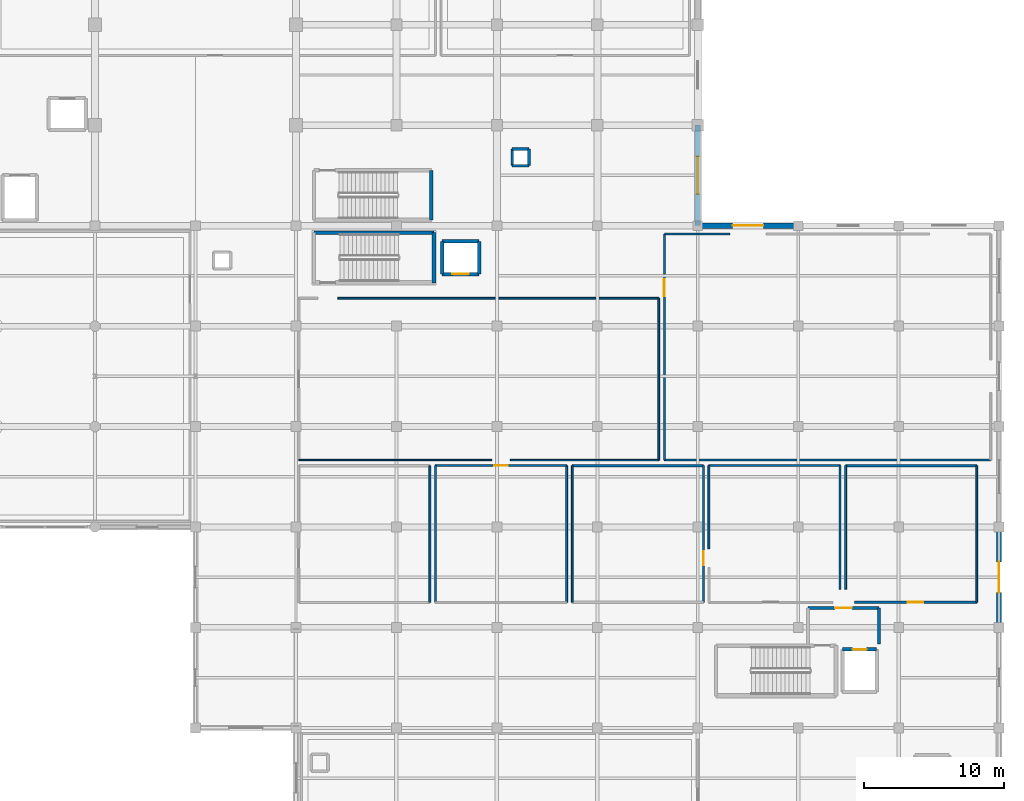
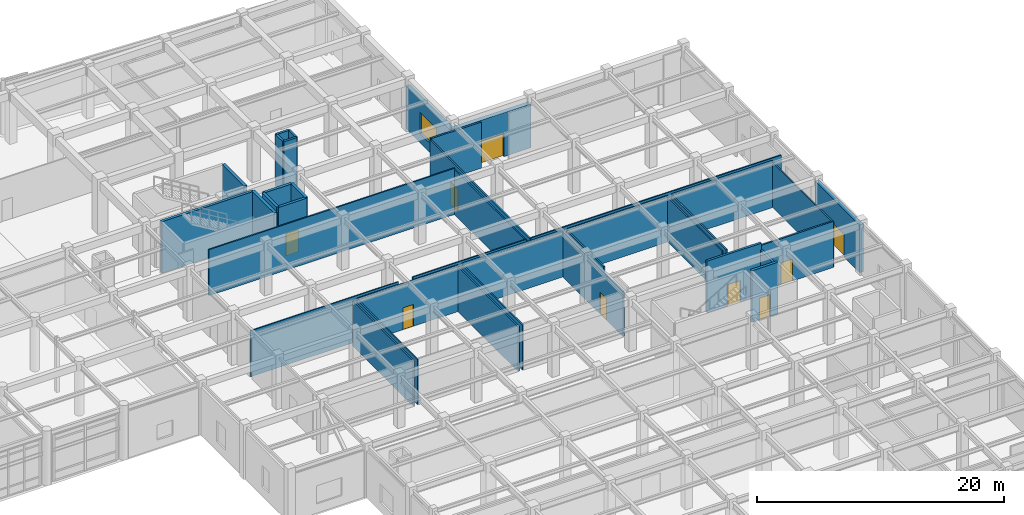
# One storey, part 82 of 102: 38 walls, 9 doors, 1 window, 10 openings.
"""IFC4 building model written with IfcOpenShell, lengths in metres."""

from ifc_helpers import new_model, si_unit, direction, frame, frame_2d, origin, place, context, subcontext, project, spatial, rectangle, extrude, material, layer, layer_set, type_object, element, fill, save


model = new_model("IFC4")

# Units and contexts
model_context = context("Model", 3, precision=1e-05, world=origin(), true_north=direction((0.0, 1.0)))
body_context = subcontext(model_context, "Body", "Model", "MODEL_VIEW")
ifc_project = project(units=[si_unit("LENGTHUNIT", "METRE"), si_unit("AREAUNIT", "SQUARE_METRE"), si_unit("VOLUMEUNIT", "CUBIC_METRE"), si_unit("PLANEANGLEUNIT", "RADIAN"), si_unit("MASSUNIT", "GRAM", prefix="KILO")], contexts=[model_context])

# Site, building, storey
site_placement = place(None, origin())
site = spatial("IfcSite", under=ifc_project, at=site_placement, CompositionType="ELEMENT")
building_placement = place(site_placement, origin())
building = spatial("IfcBuilding", under=site, at=building_placement, Name="Carrowvane Square Congress Hotel", CompositionType="ELEMENT")
storey_placement = place(building_placement, origin())
storey = spatial("IfcBuildingStorey", under=building, at=storey_placement, Name="L00", CompositionType="ELEMENT", Elevation=0.0)

# Wall, opening, door
ifc_material_1 = material(Name="Glazed terracotta rainscreen", Category="masonry")
ifc_layer_1 = layer(ifc_material_1, 0.360107421875)
ifc_layer_set_1 = layer_set([ifc_layer_1], Name="Glazed terracotta rainscreen")
wall_type_1 = type_object("IfcWallType", Name="WL-EXT-TC360", PredefinedType="STANDARD", material=ifc_layer_set_1)
wall_1_placement = place(storey_placement, frame((184.39990234375, 70.199951171875, 0.0), z_axis=(0.0, 0.0, 1.0), x_axis=(0.0, -1.0, 0.0)))
wall_1 = element("IfcWall", 1, at=wall_1_placement, inside=storey, type_object=wall_type_1, Name="L00 exterior facade wall 163", PredefinedType="STANDARD", context=body_context, shape_type="SweptSolid", body=[
    extrude(rectangle(XDim=7.199951171875, YDim=0.360107421875, at=frame_2d((3.60009765625, 0.0))), origin(), (0.0, 0.0, 1.0), 4.72705078125),
])
opening_1_placement = place(wall_1_placement, frame((2.5, 0.0, 0.0)))
opening_1 = element("IfcOpeningElement", 2, at=opening_1_placement, cuts=wall_1, Name="Opening ED-2", PredefinedType="OPENING", context=body_context, shape_type="SweptSolid", body=[
    extrude(rectangle(XDim=2.199951171875, YDim=2.300048828125, at=frame_2d((1.10009765625, 1.14990234375))), frame((0.0, 0.18994140625, 0.0), z_axis=(0.0, -1.0, 0.0), x_axis=(1.0, 0.0, 0.0)), (0.0, 0.0, 1.0), 0.380126953125),
])
ifc_material_2 = material(Name="Anodised aluminium", Category="aluminium")
door_type_1 = type_object("IfcDoorType", Name="DR-EXIT-2200", OperationType="DOUBLE_DOOR_SINGLE_SWING", PredefinedType="DOOR", material=ifc_material_2)
door_1_placement = place(opening_1_placement, origin())
door_1 = element("IfcDoor", 3, at=door_1_placement, inside=storey, type_object=door_type_1, Name="L00 final exit door ED-19", OperationType="DOUBLE_DOOR_SINGLE_SWING", OverallHeight=2.300048828125, OverallWidth=2.199951171875, PredefinedType="DOOR", context=body_context, shape_type="SweptSolid", body=[
    extrude(rectangle(XDim=2.199951171875, YDim=2.300048828125, at=frame_2d((1.10009765625, 1.14990234375))), frame((0.0, 0.02490234375, 0.0), z_axis=(0.0, -1.0, 0.0), x_axis=(1.0, 0.0, 0.0)), (0.0, 0.0, 1.0), 0.050048828125),
])
fill(opening_1, door_1)

# Wall, opening, window
ifc_material_3 = material(Name="Glazed terracotta rainscreen", Category="masonry")
ifc_layer_2 = layer(ifc_material_3, 0.39990234375)
ifc_layer_set_2 = layer_set([ifc_layer_2], Name="Glazed terracotta rainscreen")
wall_type_2 = type_object("IfcWallType", Name="WL-EXT-TC400", PredefinedType="STANDARD", material=ifc_layer_set_2)
wall_2_placement = place(storey_placement, frame((162.800048828125, 99.0, 0.0), z_axis=(0.0, 0.0, 1.0), x_axis=(0.0, -1.0, 0.0)))
wall_2 = element("IfcWall", 4, at=wall_2_placement, inside=storey, type_object=wall_type_2, Name="L00 exterior facade wall 156", PredefinedType="STANDARD", context=body_context, shape_type="SweptSolid", body=[
    extrude(rectangle(XDim=7.199951171875, YDim=0.39990234375, at=frame_2d((3.60009765625, 0.0))), origin(), (0.0, 0.0, 1.0), 4.235107421875),
])
opening_2_placement = place(wall_2_placement, frame((2.25, 0.0, 0.89990234375)))
opening_2 = element("IfcOpeningElement", 5, at=opening_2_placement, cuts=wall_2, Name="Opening W-13", PredefinedType="OPENING", context=body_context, shape_type="SweptSolid", body=[
    extrude(rectangle(XDim=2.699951171875, YDim=2.10009765625, at=frame_2d((1.35009765625, 1.050048828125))), frame((0.0, 0.2099609375, 0.0), z_axis=(0.0, -1.0, 0.0), x_axis=(1.0, 0.0, 0.0)), (0.0, 0.0, 1.0), 0.419921875),
])
ifc_material_4 = material(Name="Double-glazed low-E glass", Category="glass")
window_type = type_object("IfcWindowType", Name="WIN-13", PartitioningType="SINGLE_PANEL", PredefinedType="WINDOW", material=ifc_material_4)
window_placement = place(opening_2_placement, origin())
window = element("IfcWindow", 6, at=window_placement, inside=storey, type_object=window_type, Name="L00 facade window 3", OverallHeight=2.10009765625, OverallWidth=2.699951171875, PartitioningType="SINGLE_PANEL", PredefinedType="WINDOW", context=body_context, shape_type="SweptSolid", body=[
    extrude(rectangle(XDim=2.699951171875, YDim=2.10009765625, at=frame_2d((1.35009765625, 1.050048828125))), frame((0.0, 0.030029296875, 0.0), z_axis=(0.0, -1.0, 0.0), x_axis=(1.0, 0.0, 0.0)), (0.0, 0.0, 1.0), 0.06005859375),
])
fill(opening_2, window)

# Wall, opening, door
wall_3_placement = place(storey_placement, frame((162.800048828125, 91.800048828125, 0.0), z_axis=(0.0, 0.0, 1.0), x_axis=(1.0, 0.0, 0.0)))
wall_3 = element("IfcWall", 7, at=wall_3_placement, inside=storey, type_object=wall_type_2, Name="L00 exterior facade wall 157", PredefinedType="STANDARD", context=body_context, shape_type="SweptSolid", body=[
    extrude(rectangle(XDim=7.199951171875, YDim=0.39990234375, at=frame_2d((3.60009765625, 0.0))), origin(), (0.0, 0.0, 1.0), 4.3349609375),
])
opening_3_placement = place(wall_3_placement, frame((2.5, 0.0, 0.0)))
opening_3 = element("IfcOpeningElement", 8, at=opening_3_placement, cuts=wall_3, Name="Opening ED-2", PredefinedType="OPENING", context=body_context, shape_type="SweptSolid", body=[
    extrude(rectangle(XDim=2.199951171875, YDim=2.300048828125, at=frame_2d((1.10009765625, 1.14990234375))), frame((0.0, 0.2099609375, 0.0), z_axis=(0.0, -1.0, 0.0), x_axis=(1.0, 0.0, 0.0)), (0.0, 0.0, 1.0), 0.419921875),
])
door_2_placement = place(opening_3_placement, origin())
door_2 = element("IfcDoor", 9, at=door_2_placement, inside=storey, type_object=door_type_1, Name="L00 final exit door ED-16", OperationType="DOUBLE_DOOR_SINGLE_SWING", OverallHeight=2.300048828125, OverallWidth=2.199951171875, PredefinedType="DOOR", context=body_context, shape_type="SweptSolid", body=[
    extrude(rectangle(XDim=2.199951171875, YDim=2.300048828125, at=frame_2d((1.10009765625, 1.14990234375))), frame((0.0, 0.02490234375, 0.0), z_axis=(0.0, -1.0, 0.0), x_axis=(1.0, 0.0, 0.0)), (0.0, 0.0, 1.0), 0.050048828125),
])
fill(opening_3, door_2)

ifc_material_5 = material(Name="Acoustic gypsum board", Category="gypsum")
ifc_layer_3 = layer(ifc_material_5, 0.155029296875)
ifc_layer_set_3 = layer_set([ifc_layer_3], Name="Acoustic gypsum board")
wall_type_3 = type_object("IfcWallType", Name="WL-FIR-155", PredefinedType="PARTITIONING", material=ifc_layer_set_3)
wall_4_placement = place(storey_placement, frame((182.800048828125, 64.800048828125, 0.0), z_axis=(0.0, 0.0, 1.0), x_axis=(-1.0, 0.0, 0.0)))
wall_4 = element("IfcWall", 10, at=wall_4_placement, inside=storey, type_object=wall_type_3, Name="L00 Syndicate Meeting Room G05 partition", PredefinedType="PARTITIONING", context=body_context, shape_type="SweptSolid", body=[
    extrude(rectangle(XDim=8.77001953125, YDim=0.155029296875, at=frame_2d((4.385009765625, 0.0))), origin(), (0.0, 0.0, 1.0), 4.54833984375),
])
opening_4_placement = place(wall_4_placement, frame((3.8349609375, 0.0, 0.0)))
opening_4 = element("IfcOpeningElement", 11, at=opening_4_placement, cuts=wall_4, Name="Opening ID-22", PredefinedType="OPENING", context=body_context, shape_type="SweptSolid", body=[
    extrude(rectangle(XDim=1.10009765625, YDim=2.179931640625, at=frame_2d((0.550048828125, 1.08984375))), frame((0.0, 0.08740234375, 0.0), z_axis=(0.0, -1.0, 0.0), x_axis=(1.0, 0.0, 0.0)), (0.0, 0.0, 1.0), 0.175048828125),
])
ifc_material_6 = material(Name="European oak timber", Category="wood")
door_type_2 = type_object("IfcDoorType", Name="DR-INT-1100x2180", OperationType="NOTDEFINED", PredefinedType="DOOR", material=ifc_material_6)
door_3_placement = place(opening_4_placement, origin())
door_3 = element("IfcDoor", 12, at=door_3_placement, inside=storey, type_object=door_type_2, Name="L00 Syndicate Meeting Room G05 entrance door", OperationType="SINGLE_SWING_LEFT", OverallHeight=2.179931640625, OverallWidth=1.10009765625, PredefinedType="DOOR", context=body_context, shape_type="SweptSolid", body=[
    extrude(rectangle(XDim=1.10009765625, YDim=2.179931640625, at=frame_2d((0.550048828125, 1.08984375))), frame((0.0, 0.02490234375, 0.0), z_axis=(0.0, -1.0, 0.0), x_axis=(1.0, 0.0, 0.0)), (0.0, 0.0, 1.0), 0.050048828125),
])
fill(opening_4, door_3)

# Walls
ifc_material_7 = material(Name="Acoustic gypsum board", Category="gypsum")
ifc_layer_4 = layer(ifc_material_7, 0.169921875)
ifc_layer_set_4 = layer_set([ifc_layer_4], Name="Acoustic gypsum board")
wall_type_4 = type_object("IfcWallType", Name="WL-FIR-170", PredefinedType="PARTITIONING", material=ifc_layer_set_4)
wall_5_placement = place(storey_placement, frame((160.39990234375, 91.199951171875, 0.0), z_axis=(0.0, 0.0, 1.0), x_axis=(1.0, 0.0, 0.0)))
element("IfcWall", 13, at=wall_5_placement, inside=storey, type_object=wall_type_4, Name="L00 Delegate Business Lounge partition", PredefinedType="PARTITIONING", context=body_context, shape_type="SweptSolid", body=[
    extrude(rectangle(XDim=4.72021484375, YDim=0.169921875, at=frame_2d((2.360107421875, 0.0))), origin(), (0.0, 0.0, 1.0), 4.54833984375),
])
ifc_material_8 = material(Name="Acoustic gypsum board", Category="gypsum")
ifc_layer_5 = layer(ifc_material_8, 0.18505859375)
ifc_layer_set_5 = layer_set([ifc_layer_5], Name="Acoustic gypsum board")
wall_type_5 = type_object("IfcWallType", Name="WL-FIR-185", PredefinedType="PARTITIONING", material=ifc_layer_set_5)
wall_6_placement = place(storey_placement, frame((153.800048828125, 74.60009765625, 0.0), z_axis=(0.0, 0.0, 1.0), x_axis=(1.0, 0.0, 0.0)))
element("IfcWall", 14, at=wall_6_placement, inside=storey, type_object=wall_type_5, Name="L00 Syndicate Meeting Room G03 partition", PredefinedType="PARTITIONING", context=body_context, shape_type="SweptSolid", body=[
    extrude(rectangle(XDim=9.39990234375, YDim=0.18505859375, at=frame_2d((4.699951171875, 0.0))), origin(), (0.0, 0.0, 1.0), 4.54833984375),
])
wall_7_placement = place(storey_placement, frame((173.39990234375, 74.60009765625, 0.0), z_axis=(0.0, 0.0, 1.0), x_axis=(1.0, 0.0, 0.0)))
element("IfcWall", 15, at=wall_7_placement, inside=storey, type_object=wall_type_5, Name="L00 Syndicate Meeting Room G05 partition", PredefinedType="PARTITIONING", context=body_context, shape_type="SweptSolid", body=[
    extrude(rectangle(XDim=9.400146484375, YDim=0.18505859375, at=frame_2d((4.7001953125, 0.0))), origin(), (0.0, 0.0, 1.0), 4.54833984375),
])
ifc_material_9 = material(Name="Acoustic gypsum board", Category="gypsum")
ifc_layer_6 = layer(ifc_material_9, 0.205078125)
ifc_layer_set_6 = layer_set([ifc_layer_6], Name="Acoustic gypsum board")
wall_type_6 = type_object("IfcWallType", Name="WL-FIR-205", PredefinedType="PARTITIONING", material=ifc_layer_set_6)
wall_8_placement = place(storey_placement, frame((175.800048828125, 61.800048828125, 0.0), z_axis=(0.0, 0.0, 1.0), x_axis=(0.0, 1.0, 0.0)))
element("IfcWall", 16, at=wall_8_placement, inside=storey, type_object=wall_type_6, Name="L00 Firefighting Lobby C4 wall east", PredefinedType="PARTITIONING", context=body_context, shape_type="SweptSolid", body=[
    extrude(rectangle(XDim=2.599853515625, YDim=0.205078125, at=frame_2d((1.2998046875, 0.0))), origin(), (0.0, 0.0, 1.0), 4.43505859375),
])

# Wall, opening, door
wall_9_placement = place(storey_placement, frame((175.800048828125, 64.39990234375, 0.0), z_axis=(0.0, 0.0, 1.0), x_axis=(-1.0, 0.0, 0.0)))
wall_9 = element("IfcWall", 17, at=wall_9_placement, inside=storey, type_object=wall_type_6, Name="L00 Firefighting Lobby C4 wall north", PredefinedType="PARTITIONING", context=body_context, shape_type="SweptSolid", body=[
    extrude(rectangle(XDim=5.10009765625, YDim=0.205078125, at=frame_2d((2.550048828125, 0.0))), origin(), (0.0, 0.0, 1.0), 5.10009765625),
])
opening_5_placement = place(wall_9_placement, frame((1.949951171875, 0.0, 0.0)))
opening_5 = element("IfcOpeningElement", 18, at=opening_5_placement, cuts=wall_9, Name="Opening FD-02", PredefinedType="OPENING", context=body_context, shape_type="SweptSolid", body=[
    extrude(rectangle(XDim=1.199951171875, YDim=2.10009765625, at=frame_2d((0.60009765625, 1.050048828125))), frame((0.0, 0.112548828125, 0.0), z_axis=(0.0, -1.0, 0.0), x_axis=(1.0, 0.0, 0.0)), (0.0, 0.0, 1.0), 0.22509765625),
])
ifc_material_10 = material(Name="European oak timber", Category="wood")
door_type_3 = type_object("IfcDoorType", Name="DR-FD60-1200x2100", OperationType="NOTDEFINED", PredefinedType="DOOR", material=ifc_material_10)
door_4_placement = place(opening_5_placement, origin())
door_4 = element("IfcDoor", 19, at=door_4_placement, inside=storey, type_object=door_type_3, Name="L00 Firefighting Lobby C4 entrance door", OperationType="SINGLE_SWING_LEFT", OverallHeight=2.10009765625, OverallWidth=1.199951171875, PredefinedType="DOOR", context=body_context, shape_type="SweptSolid", body=[
    extrude(rectangle(XDim=1.199951171875, YDim=2.10009765625, at=frame_2d((0.60009765625, 1.050048828125))), frame((0.0, 0.02490234375, 0.0), z_axis=(0.0, -1.0, 0.0), x_axis=(1.0, 0.0, 0.0)), (0.0, 0.0, 1.0), 0.050048828125),
])
fill(opening_5, door_4)

# Walls
ifc_material_11 = material(Name="European oak timber", Category="wood")
ifc_layer_7 = layer(ifc_material_11, 0.1220703125)
ifc_layer_set_7 = layer_set([ifc_layer_7], Name="European oak timber")
wall_type_7 = type_object("IfcWallType", Name="WL-MOV-122", PredefinedType="MOVABLE", material=ifc_layer_set_7)
for number, where, z_axis, x_axis, name in (
    (20, (144.0, 64.800048828125, 0.0), (0.0, 0.0, 1.0), (0.0, 1.0, 0.0), "L00 Syndicate Meeting Room G02 partition"),
    (21, (153.800048828125, 64.800048828125, 0.0), (0.0, 0.0, 1.0), (0.0, 1.0, 0.0), "L00 Syndicate Meeting Room G03 partition"),
):
    element("IfcWall", number, at=place(storey_placement, frame(where, z_axis=z_axis, x_axis=x_axis)), inside=storey, type_object=wall_type_7, Name=name, PredefinedType="MOVABLE", context=body_context, shape_type="SweptSolid", body=[
        extrude(rectangle(XDim=9.800048828125, YDim=0.1220703125, at=frame_2d((4.89990234375, 0.0))), origin(), (0.0, 0.0, 1.0), 4.43505859375),
    ])
wall_10_placement = place(storey_placement, frame((173.0, 74.60009765625, 0.0), z_axis=(0.0, 0.0, 1.0), x_axis=(0.0, -1.0, 0.0)))
element("IfcWall", 22, at=wall_10_placement, inside=storey, type_object=wall_type_7, Name="L00 Syndicate Meeting Room G04 partition", PredefinedType="MOVABLE", context=body_context, shape_type="SweptSolid", body=[
    extrude(rectangle(XDim=8.85009765625, YDim=0.1220703125, at=frame_2d((4.425048828125, 0.0))), origin(), (0.0, 0.0, 1.0), 4.43505859375),
])
wall_11_placement = place(storey_placement, frame((182.800048828125, 74.60009765625, 0.0), z_axis=(0.0, 0.0, 1.0), x_axis=(0.0, -1.0, 0.0)))
element("IfcWall", 23, at=wall_11_placement, inside=storey, type_object=wall_type_7, Name="L00 Syndicate Meeting Room G05 partition", PredefinedType="MOVABLE", context=body_context, shape_type="SweptSolid", body=[
    extrude(rectangle(XDim=9.800048828125, YDim=0.1220703125, at=frame_2d((4.89990234375, 0.0))), origin(), (0.0, 0.0, 1.0), 4.43505859375),
])
wall_12_placement = place(storey_placement, frame((160.0, 86.60009765625, 0.0), z_axis=(0.0, 0.0, 1.0), x_axis=(0.0, -1.0, 0.0)))
element("IfcWall", 24, at=wall_12_placement, inside=storey, type_object=wall_type_7, Name="L00 Congress Organiser Secretariat Suite partition", PredefinedType="MOVABLE", context=body_context, shape_type="SweptSolid", body=[
    extrude(rectangle(XDim=11.60009765625, YDim=0.1220703125, at=frame_2d((5.800048828125, 0.0))), origin(), (0.0, 0.0, 1.0), 4.43505859375),
])
ifc_material_12 = material(Name="European oak timber", Category="wood")
ifc_layer_8 = layer(ifc_material_12, 0.14208984375)
ifc_layer_set_8 = layer_set([ifc_layer_8], Name="European oak timber")
wall_type_8 = type_object("IfcWallType", Name="WL-MOV-142", PredefinedType="MOVABLE", material=ifc_layer_set_8)
for number, where, z_axis, x_axis, name in (
    (25, (143.60009765625, 74.60009765625, 0.0), (0.0, 0.0, 1.0), (0.0, -1.0, 0.0), "L00 Syndicate Meeting Room G01 partition"),
    (26, (153.39990234375, 74.60009765625, 0.0), (0.0, 0.0, 1.0), (0.0, -1.0, 0.0), "L00 Syndicate Meeting Room G02 partition"),
):
    element("IfcWall", number, at=place(storey_placement, frame(where, z_axis=z_axis, x_axis=x_axis)), inside=storey, type_object=wall_type_8, Name=name, PredefinedType="MOVABLE", context=body_context, shape_type="SweptSolid", body=[
        extrude(rectangle(XDim=9.800048828125, YDim=0.14208984375, at=frame_2d((4.89990234375, 0.0))), origin(), (0.0, 0.0, 1.0), 4.43505859375),
    ])

# Wall, opening, door
wall_13_placement = place(storey_placement, frame((163.199951171875, 74.60009765625, 0.0), z_axis=(0.0, 0.0, 1.0), x_axis=(0.0, -1.0, 0.0)))
wall_13 = element("IfcWall", 27, at=wall_13_placement, inside=storey, type_object=wall_type_8, Name="L00 Syndicate Meeting Room G03 partition", PredefinedType="MOVABLE", context=body_context, shape_type="SweptSolid", body=[
    extrude(rectangle(XDim=9.800048828125, YDim=0.14208984375, at=frame_2d((4.89990234375, 0.0))), origin(), (0.0, 0.0, 1.0), 4.43505859375),
])
opening_6_placement = place(wall_13_placement, frame((6.14501953125, 0.0, 0.0)))
opening_6 = element("IfcOpeningElement", 28, at=opening_6_placement, cuts=wall_13, Name="Opening ID-20", PredefinedType="OPENING", context=body_context, shape_type="SweptSolid", body=[
    extrude(rectangle(XDim=1.010009765625, YDim=2.159912109375, at=frame_2d((0.5048828125, 1.080078125))), frame((0.0, 0.0810546875, 0.0), z_axis=(0.0, -1.0, 0.0), x_axis=(1.0, 0.0, 0.0)), (0.0, 0.0, 1.0), 0.162109375),
])
ifc_material_13 = material(Name="European oak timber", Category="wood")
door_type_4 = type_object("IfcDoorType", Name="DR-INT-1010x2160", OperationType="NOTDEFINED", PredefinedType="DOOR", material=ifc_material_13)
door_5_placement = place(opening_6_placement, origin())
door_5 = element("IfcDoor", 29, at=door_5_placement, inside=storey, type_object=door_type_4, Name="L00 Syndicate Meeting Room G03 entrance door", OperationType="SINGLE_SWING_LEFT", OverallHeight=2.159912109375, OverallWidth=1.010009765625, PredefinedType="DOOR", context=body_context, shape_type="SweptSolid", body=[
    extrude(rectangle(XDim=1.010009765625, YDim=2.159912109375, at=frame_2d((0.5048828125, 1.080078125))), frame((0.0, 0.02490234375, 0.0), z_axis=(0.0, -1.0, 0.0), x_axis=(1.0, 0.0, 0.0)), (0.0, 0.0, 1.0), 0.050048828125),
])
fill(opening_6, door_5)

# Walls
wall_14_placement = place(storey_placement, frame((163.60009765625, 68.635009765625, 0.0), z_axis=(0.0, 0.0, 1.0), x_axis=(0.0, 1.0, 0.0)))
element("IfcWall", 30, at=wall_14_placement, inside=storey, type_object=wall_type_8, Name="L00 Syndicate Meeting Room G04 partition", PredefinedType="MOVABLE", context=body_context, shape_type="SweptSolid", body=[
    extrude(rectangle(XDim=5.965087890625, YDim=0.14208984375, at=frame_2d((2.982421875, 0.0))), origin(), (0.0, 0.0, 1.0), 4.43505859375),
])
wall_15_placement = place(storey_placement, frame((173.39990234375, 65.75, 0.0), z_axis=(0.0, 0.0, 1.0), x_axis=(0.0, 1.0, 0.0)))
element("IfcWall", 31, at=wall_15_placement, inside=storey, type_object=wall_type_8, Name="L00 Syndicate Meeting Room G05 partition", PredefinedType="MOVABLE", context=body_context, shape_type="SweptSolid", body=[
    extrude(rectangle(XDim=8.85009765625, YDim=0.14208984375, at=frame_2d((4.425048828125, 0.0))), origin(), (0.0, 0.0, 1.0), 4.43505859375),
])

# Wall, opening, door
wall_16_placement = place(storey_placement, frame((160.39990234375, 75.0, 0.0), z_axis=(0.0, 0.0, 1.0), x_axis=(0.0, 1.0, 0.0)))
wall_16 = element("IfcWall", 32, at=wall_16_placement, inside=storey, type_object=wall_type_8, Name="L00 Delegate Business Lounge partition", PredefinedType="MOVABLE", context=body_context, shape_type="SweptSolid", body=[
    extrude(rectangle(XDim=16.199951171875, YDim=0.14208984375, at=frame_2d((8.10009765625, 0.0))), origin(), (0.0, 0.0, 1.0), 4.43505859375),
])
opening_7_placement = place(wall_16_placement, frame((11.739990234375, 0.0, 0.0)))
opening_7 = element("IfcOpeningElement", 33, at=opening_7_placement, cuts=wall_16, Name="Opening ID-24", PredefinedType="OPENING", context=body_context, shape_type="SweptSolid", body=[
    extrude(rectangle(XDim=1.219970703125, YDim=2.239990234375, at=frame_2d((0.60986328125, 1.1201171875))), frame((0.0, 0.0810546875, 0.0), z_axis=(0.0, -1.0, 0.0), x_axis=(1.0, 0.0, 0.0)), (0.0, 0.0, 1.0), 0.162109375),
])
ifc_material_14 = material(Name="European oak timber", Category="wood")
door_type_5 = type_object("IfcDoorType", Name="DR-INT-1220x2240", OperationType="NOTDEFINED", PredefinedType="DOOR", material=ifc_material_14)
door_6_placement = place(opening_7_placement, origin())
door_6 = element("IfcDoor", 34, at=door_6_placement, inside=storey, type_object=door_type_5, Name="L00 Delegate Business Lounge entrance door", OperationType="SINGLE_SWING_LEFT", OverallHeight=2.239990234375, OverallWidth=1.219970703125, PredefinedType="DOOR", context=body_context, shape_type="SweptSolid", body=[
    extrude(rectangle(XDim=1.219970703125, YDim=2.239990234375, at=frame_2d((0.60986328125, 1.1201171875))), frame((0.0, 0.02490234375, 0.0), z_axis=(0.0, -1.0, 0.0), x_axis=(1.0, 0.0, 0.0)), (0.0, 0.0, 1.0), 0.050048828125),
])
fill(opening_7, door_6)

# Walls
ifc_material_15 = material(Name="Standing-seam zinc cladding", Category="metal")
ifc_layer_9 = layer(ifc_material_15, 0.195068359375)
ifc_layer_set_9 = layer_set([ifc_layer_9], Name="Standing-seam zinc cladding")
wall_type_9 = type_object("IfcWallType", Name="WL-PAR-195", PredefinedType="PARAPET", material=ifc_layer_set_9)
for number, where, z_axis, x_axis, name in (
    (35, (149.5, 96.10009765625, 0.0), (0.0, 0.0, 1.0), (1.0, 0.0, 0.0), "L00 service riser RSR-V5E enclosure S"),
    (36, (150.699951171875, 96.10009765625, 0.0), (0.0, 0.0, 1.0), (0.0, 1.0, 0.0), "L00 service riser RSR-V5E enclosure E"),
    (37, (150.699951171875, 97.300048828125, 0.0), (0.0, 0.0, 1.0), (-1.0, 0.0, 0.0), "L00 service riser RSR-V5E enclosure N"),
    (38, (149.5, 97.300048828125, 0.0), (0.0, 0.0, 1.0), (0.0, -1.0, 0.0), "L00 service riser RSR-V5E enclosure W"),
):
    element("IfcWall", number, at=place(storey_placement, frame(where, z_axis=z_axis, x_axis=x_axis)), inside=storey, type_object=wall_type_9, Name=name, PredefinedType="PARAPET", context=body_context, shape_type="SweptSolid", body=[
        extrude(rectangle(XDim=1.199951171875, YDim=0.195068359375, at=frame_2d((0.60009765625, 0.0))), origin(), (0.0, 0.0, 1.0), 5.10009765625),
    ])
ifc_material_16 = material(Name="Acoustic gypsum board", Category="gypsum")
ifc_layer_10 = layer(ifc_material_16, 0.097900390625)
ifc_layer_set_10 = layer_set([ifc_layer_10], Name="Acoustic gypsum board")
wall_type_10 = type_object("IfcWallType", Name="WL-PRT-098", PredefinedType="PARTITIONING", material=ifc_layer_set_10)
wall_17_placement = place(storey_placement, frame((148.034912109375, 75.0, 0.0), z_axis=(0.0, 0.0, 1.0), x_axis=(-1.0, 0.0, 0.0)))
element("IfcWall", 39, at=wall_17_placement, inside=storey, type_object=wall_type_10, Name="L00 Congress Organiser Secretariat Suite partition", PredefinedType="PARTITIONING", context=body_context, shape_type="SweptSolid", body=[
    extrude(rectangle(XDim=13.8349609375, YDim=0.097900390625, at=frame_2d((6.91748046875, 0.0))), origin(), (0.0, 0.0, 1.0), 4.54833984375),
])
ifc_material_17 = material(Name="Acoustic gypsum board", Category="gypsum")
ifc_layer_11 = layer(ifc_material_17, 0.10791015625)
ifc_layer_set_11 = layer_set([ifc_layer_11], Name="Acoustic gypsum board")
wall_type_11 = type_object("IfcWallType", Name="WL-PRT-108", PredefinedType="PARTITIONING", material=ifc_layer_set_11)
wall_18_placement = place(storey_placement, frame((160.0, 75.0, 0.0), z_axis=(0.0, 0.0, 1.0), x_axis=(-1.0, 0.0, 0.0)))
element("IfcWall", 40, at=wall_18_placement, inside=storey, type_object=wall_type_11, Name="L00 Congress Organiser Secretariat Suite partition", PredefinedType="PARTITIONING", context=body_context, shape_type="SweptSolid", body=[
    extrude(rectangle(XDim=10.635009765625, YDim=0.10791015625, at=frame_2d((5.3173828125, 0.0))), origin(), (0.0, 0.0, 1.0), 4.54833984375),
])
ifc_material_18 = material(Name="Acoustic gypsum board", Category="gypsum")
ifc_layer_12 = layer(ifc_material_18, 0.117919921875)
ifc_layer_set_12 = layer_set([ifc_layer_12], Name="Acoustic gypsum board")
wall_type_12 = type_object("IfcWallType", Name="WL-PRT-118", PredefinedType="PARTITIONING", material=ifc_layer_set_12)
wall_19_placement = place(storey_placement, frame((183.800048828125, 75.0, 0.0), z_axis=(0.0, 0.0, 1.0), x_axis=(-1.0, 0.0, 0.0)))
element("IfcWall", 41, at=wall_19_placement, inside=storey, type_object=wall_type_12, Name="L00 Delegate Business Lounge partition", PredefinedType="PARTITIONING", context=body_context, shape_type="SweptSolid", body=[
    extrude(rectangle(XDim=23.400146484375, YDim=0.117919921875, at=frame_2d((11.7001953125, 0.0))), origin(), (0.0, 0.0, 1.0), 4.54833984375),
])

# Wall, opening, door
ifc_material_19 = material(Name="Acoustic gypsum board", Category="gypsum")
ifc_layer_13 = layer(ifc_material_19, 0.1279296875)
ifc_layer_set_13 = layer_set([ifc_layer_13], Name="Acoustic gypsum board")
wall_type_13 = type_object("IfcWallType", Name="WL-PRT-128", PredefinedType="PARTITIONING", material=ifc_layer_set_13)
wall_20_placement = place(storey_placement, frame((144.0, 74.60009765625, 0.0), z_axis=(0.0, 0.0, 1.0), x_axis=(1.0, 0.0, 0.0)))
wall_20 = element("IfcWall", 42, at=wall_20_placement, inside=storey, type_object=wall_type_13, Name="L00 Syndicate Meeting Room G02 partition", PredefinedType="PARTITIONING", context=body_context, shape_type="SweptSolid", body=[
    extrude(rectangle(XDim=9.39990234375, YDim=0.1279296875, at=frame_2d((4.699951171875, 0.0))), origin(), (0.0, 0.0, 1.0), 4.54833984375),
])
opening_8_placement = place(wall_20_placement, frame((4.215087890625, 0.0, 0.0)))
opening_8 = element("IfcOpeningElement", 43, at=opening_8_placement, cuts=wall_20, Name="Opening ID-19", PredefinedType="OPENING", context=body_context, shape_type="SweptSolid", body=[
    extrude(rectangle(XDim=0.969970703125, YDim=2.159912109375, at=frame_2d((0.48486328125, 1.080078125))), frame((0.0, 0.073974609375, 0.0), z_axis=(0.0, -1.0, 0.0), x_axis=(1.0, 0.0, 0.0)), (0.0, 0.0, 1.0), 0.14794921875),
])
ifc_material_20 = material(Name="European oak timber", Category="wood")
door_type_6 = type_object("IfcDoorType", Name="DR-INT-0970x2160", OperationType="NOTDEFINED", PredefinedType="DOOR", material=ifc_material_20)
door_7_placement = place(opening_8_placement, origin())
door_7 = element("IfcDoor", 44, at=door_7_placement, inside=storey, type_object=door_type_6, Name="L00 Syndicate Meeting Room G02 entrance door", OperationType="SINGLE_SWING_RIGHT", OverallHeight=2.159912109375, OverallWidth=0.969970703125, PredefinedType="DOOR", context=body_context, shape_type="SweptSolid", body=[
    extrude(rectangle(XDim=0.969970703125, YDim=2.159912109375, at=frame_2d((0.48486328125, 1.080078125))), frame((0.0, 0.02490234375, 0.0), z_axis=(0.0, -1.0, 0.0), x_axis=(1.0, 0.0, 0.0)), (0.0, 0.0, 1.0), 0.050048828125),
])
fill(opening_8, door_7)

# Walls
wall_21_placement = place(storey_placement, frame((163.60009765625, 74.60009765625, 0.0), z_axis=(0.0, 0.0, 1.0), x_axis=(1.0, 0.0, 0.0)))
element("IfcWall", 45, at=wall_21_placement, inside=storey, type_object=wall_type_13, Name="L00 Syndicate Meeting Room G04 partition", PredefinedType="PARTITIONING", context=body_context, shape_type="SweptSolid", body=[
    extrude(rectangle(XDim=9.39990234375, YDim=0.1279296875, at=frame_2d((4.699951171875, 0.0))), origin(), (0.0, 0.0, 1.0), 4.54833984375),
])
wall_22_placement = place(storey_placement, frame((137.0048828125, 86.60009765625, 0.0), z_axis=(0.0, 0.0, 1.0), x_axis=(1.0, 0.0, 0.0)))
element("IfcWall", 46, at=wall_22_placement, inside=storey, type_object=wall_type_13, Name="L00 Congress Organiser Secretariat Suite partition", PredefinedType="PARTITIONING", context=body_context, shape_type="SweptSolid", body=[
    extrude(rectangle(XDim=22.9951171875, YDim=0.1279296875, at=frame_2d((11.49755859375, 0.0))), origin(), (0.0, 0.0, 1.0), 4.54833984375),
])
ifc_material_21 = material(Name="Concrete C40/50", Category="concrete")
ifc_layer_14 = layer(ifc_material_21, 0.25)
ifc_layer_set_14 = layer_set([ifc_layer_14], Name="Concrete C40/50")
wall_type_14 = type_object("IfcWallType", Name="WL-SHR-250", PredefinedType="SHEAR", material=ifc_layer_set_14)
wall_23_placement = place(storey_placement, frame((143.89990234375, 91.300048828125, 0.0), z_axis=(0.0, 0.0, 1.0), x_axis=(-1.0, 0.0, 0.0)))
element("IfcWall", 47, at=wall_23_placement, inside=storey, type_object=wall_type_14, Name="L00 ST8 core wall north", PredefinedType="SHEAR", context=body_context, shape_type="SweptSolid", body=[
    extrude(rectangle(XDim=8.599853515625, YDim=0.25, at=frame_2d((4.2998046875, 0.0))), origin(), (0.0, 0.0, 1.0), 5.10009765625),
])

# Wall, opening, door
wall_24_placement = place(storey_placement, frame((175.625, 61.425048828125, 0.0), z_axis=(0.0, 0.0, 1.0), x_axis=(-1.0, 0.0, 0.0)))
wall_24 = element("IfcWall", 48, at=wall_24_placement, inside=storey, type_object=wall_type_14, Name="L00 FFL-3 shaft wall north", PredefinedType="SHEAR", context=body_context, shape_type="SweptSolid", body=[
    extrude(rectangle(XDim=2.449951171875, YDim=0.25, at=frame_2d((1.22509765625, 0.0))), origin(), (0.0, 0.0, 1.0), 5.10009765625),
])
opening_9_placement = place(wall_24_placement, frame((0.72509765625, 0.0, 0.0)))
opening_9 = element("IfcOpeningElement", 49, at=opening_9_placement, cuts=wall_24, Name="Opening LD-FFL-3", PredefinedType="OPENING", context=body_context, shape_type="SweptSolid", body=[
    extrude(rectangle(XDim=1.0, YDim=2.14990234375, at=frame_2d((0.5, 1.074951171875))), frame((0.0, 0.135009765625, 0.0), z_axis=(0.0, -1.0, 0.0), x_axis=(1.0, 0.0, 0.0)), (0.0, 0.0, 1.0), 0.27001953125),
])
ifc_material_22 = material(Name="Stainless steel 316", Category="steel")
door_type_7 = type_object("IfcDoorType", Name="DR-LD-1000x2150", OperationType="DOUBLE_DOOR_SLIDING", PredefinedType="DOOR", material=ifc_material_22)
door_8_placement = place(opening_9_placement, origin())
door_8 = element("IfcDoor", 50, at=door_8_placement, inside=storey, type_object=door_type_7, Name="L00 FFL-3 sliding lift landing door", OperationType="DOUBLE_DOOR_SLIDING", OverallHeight=2.14990234375, OverallWidth=1.0, PredefinedType="DOOR", context=body_context, shape_type="SweptSolid", body=[
    extrude(rectangle(XDim=1.0, YDim=2.14990234375, at=frame_2d((0.5, 1.074951171875))), frame((0.0, 0.02490234375, 0.0), z_axis=(0.0, -1.0, 0.0), x_axis=(1.0, 0.0, 0.0)), (0.0, 0.0, 1.0), 0.050048828125),
])
fill(opening_9, door_8)

wall_25_placement = place(storey_placement, frame((144.47509765625, 88.324951171875, 0.0), z_axis=(0.0, 0.0, 1.0), x_axis=(1.0, 0.0, 0.0)))
wall_25 = element("IfcWall", 51, at=wall_25_placement, inside=storey, type_object=wall_type_14, Name="L00 CL-3 shaft wall south", PredefinedType="SHEAR", context=body_context, shape_type="SweptSolid", body=[
    extrude(rectangle(XDim=2.64990234375, YDim=0.25, at=frame_2d((1.324951171875, 0.0))), origin(), (0.0, 0.0, 1.0), 5.10009765625),
])
opening_10_placement = place(wall_25_placement, frame((0.72509765625, 0.0, 0.0)))
opening_10 = element("IfcOpeningElement", 52, at=opening_10_placement, cuts=wall_25, Name="Opening LD-CL-3", PredefinedType="OPENING", context=body_context, shape_type="SweptSolid", body=[
    extrude(rectangle(XDim=1.199951171875, YDim=2.199951171875, at=frame_2d((0.60009765625, 1.10009765625))), frame((0.0, 0.135009765625, 0.0), z_axis=(0.0, -1.0, 0.0), x_axis=(1.0, 0.0, 0.0)), (0.0, 0.0, 1.0), 0.27001953125),
])
ifc_material_23 = material(Name="Stainless steel 316", Category="steel")
door_type_8 = type_object("IfcDoorType", Name="DR-LD-1200x2200", OperationType="DOUBLE_DOOR_SLIDING", PredefinedType="DOOR", material=ifc_material_23)
door_9_placement = place(opening_10_placement, origin())
door_9 = element("IfcDoor", 53, at=door_9_placement, inside=storey, type_object=door_type_8, Name="L00 CL-3 sliding lift landing door", OperationType="DOUBLE_DOOR_SLIDING", OverallHeight=2.199951171875, OverallWidth=1.199951171875, PredefinedType="DOOR", context=body_context, shape_type="SweptSolid", body=[
    extrude(rectangle(XDim=1.199951171875, YDim=2.199951171875, at=frame_2d((0.60009765625, 1.10009765625))), frame((0.0, 0.02490234375, 0.0), z_axis=(0.0, -1.0, 0.0), x_axis=(1.0, 0.0, 0.0)), (0.0, 0.0, 1.0), 0.050048828125),
])
fill(opening_10, door_9)

# Walls
wall_26_placement = place(storey_placement, frame((147.125, 88.324951171875, 0.0), z_axis=(0.0, 0.0, 1.0), x_axis=(0.0, 1.0, 0.0)))
element("IfcWall", 54, at=wall_26_placement, inside=storey, type_object=wall_type_14, Name="L00 CL-3 shaft wall east", PredefinedType="SHEAR", context=body_context, shape_type="SweptSolid", body=[
    extrude(rectangle(XDim=2.35009765625, YDim=0.25, at=frame_2d((1.175048828125, 0.0))), origin(), (0.0, 0.0, 1.0), 5.10009765625),
])
wall_27_placement = place(storey_placement, frame((147.125, 90.675048828125, 0.0), z_axis=(0.0, 0.0, 1.0), x_axis=(-1.0, 0.0, 0.0)))
element("IfcWall", 55, at=wall_27_placement, inside=storey, type_object=wall_type_14, Name="L00 CL-3 shaft wall north", PredefinedType="SHEAR", context=body_context, shape_type="SweptSolid", body=[
    extrude(rectangle(XDim=2.64990234375, YDim=0.25, at=frame_2d((1.324951171875, 0.0))), origin(), (0.0, 0.0, 1.0), 5.10009765625),
])
wall_28_placement = place(storey_placement, frame((144.47509765625, 90.675048828125, 0.0), z_axis=(0.0, 0.0, 1.0), x_axis=(0.0, -1.0, 0.0)))
element("IfcWall", 56, at=wall_28_placement, inside=storey, type_object=wall_type_14, Name="L00 CL-3 shaft wall west", PredefinedType="SHEAR", context=body_context, shape_type="SweptSolid", body=[
    extrude(rectangle(XDim=2.35009765625, YDim=0.25, at=frame_2d((1.175048828125, 0.0))), origin(), (0.0, 0.0, 1.0), 5.10009765625),
])
ifc_material_24 = material(Name="Concrete C40/50", Category="concrete")
ifc_layer_15 = layer(ifc_material_24, 0.27490234375)
ifc_layer_set_15 = layer_set([ifc_layer_15], Name="Concrete C40/50")
wall_type_15 = type_object("IfcWallType", Name="WL-SHR-275", PredefinedType="SHEAR", material=ifc_layer_set_15)
wall_29_placement = place(storey_placement, frame((143.89990234375, 87.699951171875, 0.0), z_axis=(0.0, 0.0, 1.0), x_axis=(0.0, 1.0, 0.0)))
element("IfcWall", 57, at=wall_29_placement, inside=storey, type_object=wall_type_15, Name="L00 ST8 core wall east", PredefinedType="SHEAR", context=body_context, shape_type="SweptSolid", body=[
    extrude(rectangle(XDim=3.60009765625, YDim=0.27490234375, at=frame_2d((1.800048828125, 0.0))), origin(), (0.0, 0.0, 1.0), 5.10009765625),
])
wall_30_placement = place(storey_placement, frame((143.699951171875, 92.199951171875, 0.0), z_axis=(0.0, 0.0, 1.0), x_axis=(0.0, 1.0, 0.0)))
element("IfcWall", 58, at=wall_30_placement, inside=storey, type_object=wall_type_15, Name="L00 ST12 core wall east", PredefinedType="SHEAR", context=body_context, shape_type="SweptSolid", body=[
    extrude(rectangle(XDim=3.56005859375, YDim=0.27490234375, at=frame_2d((1.780029296875, 0.0))), origin(), (0.0, 0.0, 1.0), 5.10009765625),
])

save(model, "model.ifc")
